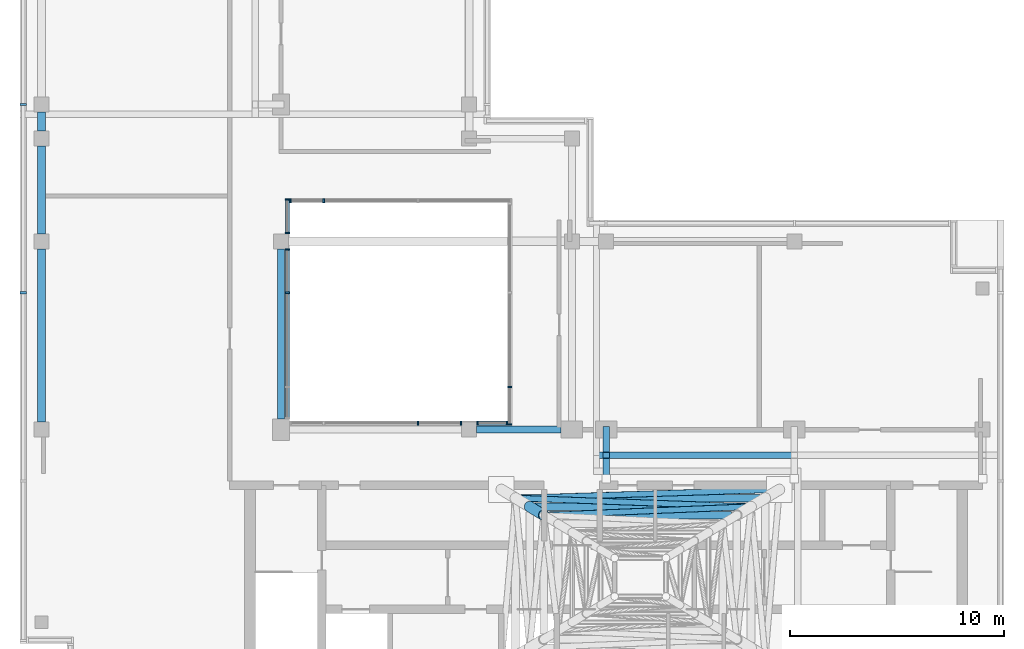
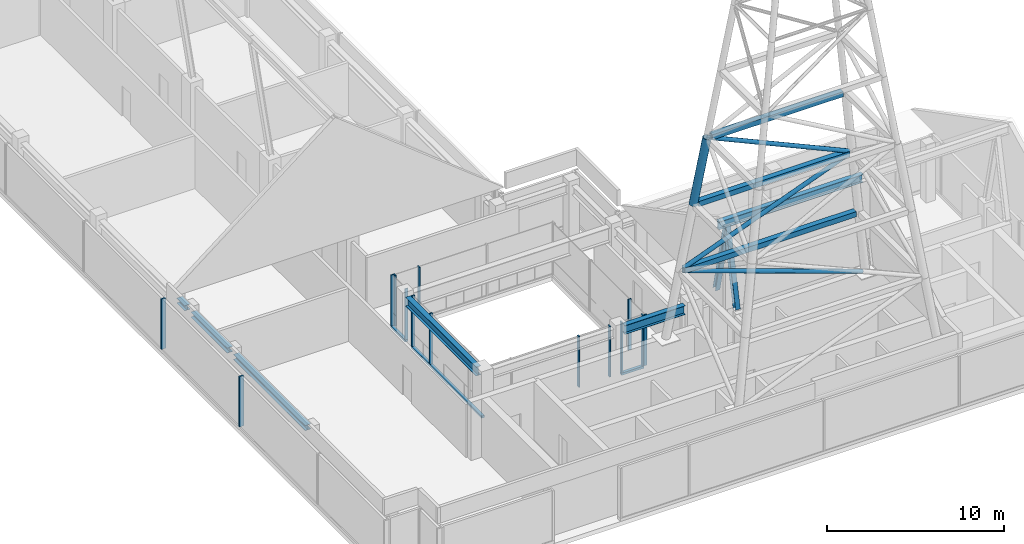
# One storey, part 4 of 13: 26 members, 6 beams, 7 elements without a shape of their own.
"""IFC4 building model written with IfcOpenShell, lengths in metres."""

from ifc_helpers import new_model, si_unit, direction, frame, origin, origin_2d, place, context, subcontext, project, spatial, rectangle, hollow_rectangle, hollow_circle, i_section, extrude, source, transform, mapped, material, material_profile, profile_set, type_object, element, aggregate, save


model = new_model("IFC4")

# Units and contexts
model_context = context("Model", 3, precision=1e-05, world=origin(), true_north=direction((0.0, 1.0)))
body_context = subcontext(model_context, "Body", "Model", "MODEL_VIEW")
ifc_project = project(units=[si_unit("LENGTHUNIT", "METRE"), si_unit("AREAUNIT", "SQUARE_METRE"), si_unit("VOLUMEUNIT", "CUBIC_METRE"), si_unit("PLANEANGLEUNIT", "RADIAN"), si_unit("MASSUNIT", "GRAM", prefix="KILO")], contexts=[model_context])

# Site, building, storey
site_placement = place(None, origin())
site = spatial("IfcSite", under=ifc_project, at=site_placement, CompositionType="ELEMENT")
building_placement = place(site_placement, origin())
building = spatial("IfcBuilding", under=site, at=building_placement, Name="Kemantara Hotel Tower", CompositionType="ELEMENT")
storey_placement = place(building_placement, frame((0.0, 0.0, 330.199951171875)))
storey = spatial("IfcBuildingStorey", under=building, at=storey_placement, Name="L83", CompositionType="ELEMENT", Elevation=330.199951171875)

# Curtain wall, member
ifc_material_1 = material(Name="Clear low-iron laminated glass 36 mm", Category="glass")
curtain_wall_type_1 = type_object("IfcCurtainWallType", Name="ATRIUM GLAZING WALL", PredefinedType="USERDEFINED", material=ifc_material_1)
curtain_wall_1_placement = place(storey_placement, origin())
curtain_wall_1 = element("IfcCurtainWall", 1, at=curtain_wall_1_placement, inside=storey, type_object=curtain_wall_type_1, Name="CW5 L83 ATR-R2-1", ObjectType="ATRIUM GLAZING WALL", PredefinedType="USERDEFINED")
ifc_material_2 = material(Name="Aluminium 6063-T6 bronze anodised", Category="aluminium")
ifc_material_profile_1 = material_profile(ifc_material_2, rectangle(XDim=0.199951171875, YDim=0.14990234375, at=origin_2d()), Name="ATRIUM GLAZING WALL TRANSOM")
ifc_profile_set_1 = profile_set([ifc_material_profile_1], Name="Aluminium 6063-T6 bronze anodised")
member_type_1 = type_object("IfcMemberType", Name="ATRIUM GLAZING WALL TRANSOM", PredefinedType="USERDEFINED", material=ifc_profile_set_1)
member_1_placement = place(storey_placement, frame((22.800048828125, 12.5, 0.074951171875), z_axis=(-1.0, 0.0, 0.0), x_axis=(0.0, -1.0, 0.0)))
member_1 = element("IfcMember", 2, at=member_1_placement, type_object=member_type_1, Name="CW5 sill transom ATR-R2-1", ObjectType="TRANSOM", PredefinedType="USERDEFINED", context=body_context, shape_type="SweptSolid", body=[
    extrude(rectangle(XDim=0.199951171875, YDim=0.14990234375, at=origin_2d()), origin(), (0.0, 0.0, 1.0), 1.449951171875),
])

curtain_wall_2_placement = place(storey_placement, origin())
curtain_wall_2 = element("IfcCurtainWall", 3, at=curtain_wall_2_placement, inside=storey, type_object=curtain_wall_type_1, Name="CW5 L83 ATR-R3-1", ObjectType="ATRIUM GLAZING WALL", PredefinedType="USERDEFINED")
member_2_placement = place(storey_placement, frame((12.5, 12.699951171875, 0.074951171875), z_axis=(0.0, 1.0, 0.0), x_axis=(-1.0, 0.0, 0.0)))
member_2 = element("IfcMember", 4, at=member_2_placement, type_object=member_type_1, Name="CW5 sill transom ATR-R3-1", ObjectType="TRANSOM", PredefinedType="USERDEFINED", context=body_context, shape_type="SweptSolid", body=[
    extrude(rectangle(XDim=0.199951171875, YDim=0.14990234375, at=origin_2d()), origin(), (0.0, 0.0, 1.0), 7.949951171875),
])

curtain_wall_3_placement = place(storey_placement, origin())
curtain_wall_3 = element("IfcCurtainWall", 5, at=curtain_wall_3_placement, inside=storey, type_object=curtain_wall_type_1, Name="CW5 L83 ATR-R3-2", ObjectType="ATRIUM GLAZING WALL", PredefinedType="USERDEFINED")
member_3_placement = place(storey_placement, frame((12.5, 21.35009765625, 0.074951171875), z_axis=(0.0, 1.0, 0.0), x_axis=(-1.0, 0.0, 0.0)))
member_3 = element("IfcMember", 6, at=member_3_placement, type_object=member_type_1, Name="CW5 sill transom ATR-R3-2", ObjectType="TRANSOM", PredefinedType="USERDEFINED", context=body_context, shape_type="SweptSolid", body=[
    extrude(rectangle(XDim=0.199951171875, YDim=0.14990234375, at=origin_2d()), origin(), (0.0, 0.0, 1.0), 1.64990234375),
])

# Beams
ifc_material_3 = material(Name="Steel ASTM A992 Grade 50", Category="steel")
ifc_material_profile_2 = material_profile(ifc_material_3, i_section(OverallWidth=0.324951171875, OverallDepth=0.612060546875, WebThickness=0.0126953125, FlangeThickness=0.01904296875, at=origin_2d()), Name="W610X155")
ifc_profile_set_2 = profile_set([ifc_material_profile_2], Name="Steel ASTM A992 Grade 50")
beam_type_1 = type_object("IfcBeamType", Name="ATRIUM ROOF GIRDER W610X155", PredefinedType="BEAM", material=ifc_profile_set_2)
beam_1_placement = place(storey_placement, frame((21.35009765625, 12.199951171875, 3.343994140625), z_axis=(1.0, 0.0, 0.0), x_axis=(0.0, 1.0, 0.0)))
element("IfcBeam", 7, at=beam_1_placement, inside=storey, type_object=beam_type_1, Name="ATRIUM ROOF GIRDER 1-2", PredefinedType="BEAM", context=body_context, shape_type="SweptSolid", body=[
    extrude(i_section(OverallWidth=0.324951171875, OverallDepth=0.612060546875, WebThickness=0.0126953125, FlangeThickness=0.01904296875, at=origin_2d()), origin(), (0.0, 0.0, 1.0), 3.949951171875),
])
beam_2_placement = place(storey_placement, frame((12.199951171875, 12.699951171875, 3.343994140625), z_axis=(0.0, 1.0, 0.0), x_axis=(-1.0, 0.0, 0.0)))
element("IfcBeam", 8, at=beam_2_placement, inside=storey, type_object=beam_type_1, Name="ATRIUM ROOF GIRDER 3-1", PredefinedType="BEAM", context=body_context, shape_type="SweptSolid", body=[
    extrude(i_section(OverallWidth=0.324951171875, OverallDepth=0.612060546875, WebThickness=0.0126953125, FlangeThickness=0.01904296875, at=origin_2d()), origin(), (0.0, 0.0, 1.0), 7.949951171875),
])

# Members
ifc_material_4 = material(Name="Steel ASTM A500 Grade C", Category="steel")
ifc_material_profile_3 = material_profile(ifc_material_4, hollow_circle(Radius=0.136474609375, WallThickness=0.0126953125, at=origin_2d()), Name="HSS273.1X12.7")
ifc_profile_set_3 = profile_set([ifc_material_profile_3], Name="Steel ASTM A500 Grade C")
member_type_2 = type_object("IfcMemberType", Name="MAST BRACE HSS273.1X12.7", PredefinedType="BRACE", material=ifc_profile_set_3)
member_4_placement = place(storey_placement, frame((35.26220703125, 9.392333984375, 4.138916015625), z_axis=(-0.936433595645, -0.030356129608, 0.349529149488), x_axis=(0.032399726483, -0.999474991045, 0.0)))
element("IfcMember", 9, at=member_4_placement, inside=storey, type_object=member_type_2, Name="MAST BRACE 3 PANEL 1", PredefinedType="BRACE", context=body_context, shape_type="SweptSolid", body=[
    extrude(hollow_circle(Radius=0.136474609375, WallThickness=0.0126953125, at=origin_2d()), origin(), (0.0, 0.0, 1.0), 12.6669921875),
])
member_5_placement = place(storey_placement, frame((23.396728515625, 8.991455078125, 8.7529296875), z_axis=(0.922065420584, -0.033498208875, 0.385581677683), x_axis=(0.036305585188, 0.999340734927, 0.0)))
element("IfcMember", 10, at=member_5_placement, inside=storey, type_object=member_type_2, Name="MAST BRACE 3 PANEL 2", PredefinedType="BRACE", context=body_context, shape_type="SweptSolid", body=[
    extrude(hollow_circle(Radius=0.136474609375, WallThickness=0.0126953125, at=origin_2d()), origin(), (0.0, 0.0, 1.0), 11.43505859375),
])
member_6_placement = place(storey_placement, frame((33.94580078125, 8.590576171875, 13.369140625), z_axis=(-0.902519933262, -0.037268758685, 0.429032411003), x_axis=(0.041258948951, -0.999148487029, 0.0)))
element("IfcMember", 11, at=member_6_placement, inside=storey, type_object=member_type_2, Name="MAST BRACE 3 PANEL 3", PredefinedType="BRACE", context=body_context, shape_type="SweptSolid", body=[
    extrude(hollow_circle(Radius=0.136474609375, WallThickness=0.0126953125, at=origin_2d()), origin(), (0.0, 0.0, 1.0), 10.225830078125),
])
ifc_material_profile_4 = material_profile(ifc_material_4, hollow_circle(Radius=0.25390625, WallThickness=0.0126953125, at=origin_2d()), Name="HSS508X12.7")
ifc_profile_set_4 = profile_set([ifc_material_profile_4], Name="Steel ASTM A500 Grade C")
member_type_3 = type_object("IfcMemberType", Name="MAST LEG HSS508X12.7", PredefinedType="POST", material=ifc_profile_set_4)
member_7_placement = place(storey_placement, frame((23.824951171875, 8.60009765625, 13.26025390625), z_axis=(0.141896560975, -0.085692138334, 0.986165413818), x_axis=(0.516951959847, 0.856014410632, 0.0)))
element("IfcMember", 12, at=member_7_placement, inside=storey, type_object=member_type_3, Name="MAST LEG 4 PANEL 3", PredefinedType="POST", context=body_context, shape_type="SweptSolid", body=[
    extrude(hollow_circle(Radius=0.25390625, WallThickness=0.0126953125, at=origin_2d()), origin(), (0.0, 0.0, 1.0), 4.669677734375),
])
ifc_material_profile_5 = material_profile(ifc_material_4, hollow_rectangle(XDim=0.355712890625, YDim=0.355712890625, WallThickness=0.0126953125, at=origin_2d()), Name="HSS355.6X355.6X12.7")
ifc_profile_set_5 = profile_set([ifc_material_profile_5], Name="Steel ASTM A500 Grade C")
member_type_4 = type_object("IfcMemberType", Name="MAST STRUT HSS355.6X355.6X12.7", PredefinedType="STRUT", material=ifc_profile_set_5)
member_8_placement = place(storey_placement, frame((34.58349609375, 9.0, 8.655029296875), z_axis=(-1.0, 0.0, 0.0), x_axis=(0.0, -1.0, 0.0)))
element("IfcMember", 13, at=member_8_placement, inside=storey, type_object=member_type_4, Name="MAST STRUT 3 LEVEL 1", PredefinedType="STRUT", context=body_context, shape_type="SweptSolid", body=[
    extrude(hollow_rectangle(XDim=0.355712890625, YDim=0.355712890625, WallThickness=0.0126953125, at=origin_2d()), origin(), (0.0, 0.0, 1.0), 11.1669921875),
])
member_9_placement = place(storey_placement, frame((33.9208984375, 8.60009765625, 13.26025390625), z_axis=(-1.0, 0.0, 0.0), x_axis=(0.0, -1.0, 0.0)))
element("IfcMember", 14, at=member_9_placement, inside=storey, type_object=member_type_4, Name="MAST STRUT 3 LEVEL 2", PredefinedType="STRUT", context=body_context, shape_type="SweptSolid", body=[
    extrude(hollow_rectangle(XDim=0.355712890625, YDim=0.355712890625, WallThickness=0.0126953125, at=origin_2d()), origin(), (0.0, 0.0, 1.0), 9.841796875),
])
member_10_placement = place(storey_placement, frame((33.258544921875, 8.199951171875, 17.865234375), z_axis=(-1.0, 0.0, 0.0), x_axis=(0.0, -1.0, 0.0)))
element("IfcMember", 15, at=member_10_placement, inside=storey, type_object=member_type_4, Name="MAST STRUT 3 LEVEL 3", PredefinedType="STRUT", context=body_context, shape_type="SweptSolid", body=[
    extrude(hollow_rectangle(XDim=0.355712890625, YDim=0.355712890625, WallThickness=0.0126953125, at=origin_2d()), origin(), (0.0, 0.0, 1.0), 8.51708984375),
])
ifc_material_profile_6 = material_profile(ifc_material_3, i_section(OverallWidth=0.304931640625, OverallDepth=0.306884765625, WebThickness=0.010009765625, FlangeThickness=0.015380859375, at=origin_2d()), Name="W310X97")
ifc_profile_set_6 = profile_set([ifc_material_profile_6], Name="Steel ASTM A992 Grade 50")
member_type_5 = type_object("IfcMemberType", Name="ROOF RIDGE A-FRAME W310X97", PredefinedType="BRACE", material=ifc_profile_set_6)
member_11_placement = place(storey_placement, frame((27.39990234375, 9.89990234375, 4.0), z_axis=(0.0, 0.20991084039, 0.977720532201), x_axis=(-1.0, 0.0, 0.0)))
element("IfcMember", 16, at=member_11_placement, inside=storey, type_object=member_type_5, Name="PEAK A RIDGE A-FRAME 1 LEG 1", PredefinedType="BRACE", context=body_context, shape_type="SweptSolid", body=[
    extrude(i_section(OverallWidth=0.304931640625, OverallDepth=0.306884765625, WebThickness=0.010009765625, FlangeThickness=0.015380859375, at=origin_2d()), origin(), (0.0, 0.0, 1.0), 5.24072265625),
])
member_12_placement = place(storey_placement, frame((27.39990234375, 12.199951171875, 4.0), z_axis=(0.0, -0.228012668335, 0.973658165415), x_axis=(1.0, 0.0, 0.0)))
element("IfcMember", 17, at=member_12_placement, inside=storey, type_object=member_type_5, Name="PEAK A RIDGE A-FRAME 1 LEG 2", PredefinedType="BRACE", context=body_context, shape_type="SweptSolid", body=[
    extrude(i_section(OverallWidth=0.304931640625, OverallDepth=0.306884765625, WebThickness=0.010009765625, FlangeThickness=0.015380859375, at=origin_2d()), origin(), (0.0, 0.0, 1.0), 5.2626953125),
])

# Beams
ifc_material_profile_7 = material_profile(ifc_material_3, i_section(OverallWidth=0.31201171875, OverallDepth=0.5439453125, WebThickness=0.0126953125, FlangeThickness=0.020263671875, at=origin_2d()), Name="W530X150")
ifc_profile_set_7 = profile_set([ifc_material_profile_7], Name="Steel ASTM A992 Grade 50")
beam_type_2 = type_object("IfcBeamType", Name="ROOF RIDGE BEAM W530X150", PredefinedType="BEAM", material=ifc_profile_set_7)
beam_3_placement = place(storey_placement, frame((26.800048828125, 11.0, 9.328125), z_axis=(1.0, 0.0, 0.0), x_axis=(0.0, 1.0, 0.0)))
element("IfcBeam", 18, at=beam_3_placement, inside=storey, type_object=beam_type_2, Name="PEAK A RIDGE BEAM 1", PredefinedType="BEAM", context=body_context, shape_type="SweptSolid", body=[
    extrude(i_section(OverallWidth=0.31201171875, OverallDepth=0.5439453125, WebThickness=0.0126953125, FlangeThickness=0.020263671875, at=origin_2d()), origin(), (0.0, 0.0, 1.0), 9.39990234375),
])
ifc_material_profile_8 = material_profile(ifc_material_3, i_section(OverallWidth=0.367919921875, OverallDepth=0.35595703125, WebThickness=0.01123046875, FlangeThickness=0.01806640625, at=origin_2d()), Name="W360X134")
ifc_profile_set_8 = profile_set([ifc_material_profile_8], Name="Steel ASTM A992 Grade 50")
beam_type_3 = type_object("IfcBeamType", Name="ROOF RING BEAM W360X134", PredefinedType="BEAM", material=ifc_profile_set_8)
beam_4_placement = place(storey_placement, frame((1.0, 12.550048828125, 3.47216796875), z_axis=(0.0, 1.0, 0.0), x_axis=(-1.0, 0.0, 0.0)))
element("IfcBeam", 19, at=beam_4_placement, inside=storey, type_object=beam_type_3, Name="ROOF RING BEAM 1", PredefinedType="BEAM", context=body_context, shape_type="SweptSolid", body=[
    extrude(i_section(OverallWidth=0.367919921875, OverallDepth=0.35595703125, WebThickness=0.01123046875, FlangeThickness=0.01806640625, at=origin_2d()), origin(), (0.0, 0.0, 1.0), 8.099853515625),
])
beam_5_placement = place(storey_placement, frame((1.0, 21.35009765625, 3.47216796875), z_axis=(0.0, 1.0, 0.0), x_axis=(-1.0, 0.0, 0.0)))
element("IfcBeam", 20, at=beam_5_placement, inside=storey, type_object=beam_type_3, Name="ROOF RING BEAM 2", PredefinedType="BEAM", context=body_context, shape_type="SweptSolid", body=[
    extrude(i_section(OverallWidth=0.367919921875, OverallDepth=0.35595703125, WebThickness=0.01123046875, FlangeThickness=0.01806640625, at=origin_2d()), origin(), (0.0, 0.0, 1.0), 4.099853515625),
])
beam_6_placement = place(storey_placement, frame((1.0, 26.14990234375, 3.47216796875), z_axis=(0.0, 1.0, 0.0), x_axis=(-1.0, 0.0, 0.0)))
element("IfcBeam", 21, at=beam_6_placement, inside=storey, type_object=beam_type_3, Name="ROOF RING BEAM 3", PredefinedType="BEAM", context=body_context, shape_type="SweptSolid", body=[
    extrude(i_section(OverallWidth=0.367919921875, OverallDepth=0.35595703125, WebThickness=0.01123046875, FlangeThickness=0.01806640625, at=origin_2d()), origin(), (0.0, 0.0, 1.0), 0.900146484375),
])

# Curtain wall, members
curtain_wall_type_2 = type_object("IfcCurtainWallType", Name="CROWN LOUVRE SCREEN WALL", PredefinedType="USERDEFINED", material=ifc_material_2)
curtain_wall_4_placement = place(storey_placement, origin())
curtain_wall_4 = element("IfcCurtainWall", 22, at=curtain_wall_4_placement, inside=storey, type_object=curtain_wall_type_2, Name="CW7 L83 CRN-R05-1", ObjectType="CROWN LOUVRE SCREEN WALL", PredefinedType="USERDEFINED")
ifc_material_profile_9 = material_profile(ifc_material_2, rectangle(XDim=0.300048828125, YDim=0.10009765625, at=origin_2d()), Name="CROWN LOUVRE SCREEN WALL MULLION")
ifc_profile_set_9 = profile_set([ifc_material_profile_9], Name="Aluminium 6063-T6 bronze anodised")
member_type_6 = type_object("IfcMemberType", Name="CROWN LOUVRE SCREEN WALL MULLION", PredefinedType="MULLION", material=ifc_profile_set_9)
shared_shape_1 = source(origin(), body_context, "Body", "SweptSolid", [
    extrude(rectangle(XDim=0.300048828125, YDim=0.10009765625, at=origin_2d()), origin(), (0.0, 0.0, 1.0), 3.4501953125),
])
member_13_placement = place(storey_placement, frame((0.14990234375, 27.39990234375, 0.199951171875), z_axis=(0.0, 0.0, 1.0), x_axis=(1.0, 0.0, 0.0)))
member_13 = element("IfcMember", 23, at=member_13_placement, type_object=member_type_6, Name="CW7 mullion CRN-R05-1.5", PredefinedType="MULLION", context=body_context, shape_type="MappedRepresentation", body=[
    mapped(shared_shape_1, transform((0.0, 0.0, 0.0))),
])
member_14_placement = place(storey_placement, frame((0.14990234375, 18.60009765625, 0.199951171875), z_axis=(0.0, 0.0, 1.0), x_axis=(1.0, 0.0, 0.0)))
member_14 = element("IfcMember", 24, at=member_14_placement, type_object=member_type_6, Name="CW7 mullion CRN-R05-1.6", PredefinedType="MULLION", context=body_context, shape_type="MappedRepresentation", body=[
    mapped(shared_shape_1, transform((0.0, 0.0, 0.0))),
])
aggregate(curtain_wall_4, [member_13, member_14])

curtain_wall_5_placement = place(storey_placement, origin())
curtain_wall_5 = element("IfcCurtainWall", 25, at=curtain_wall_5_placement, inside=storey, type_object=curtain_wall_type_1, Name="CW5 L83 ATR-R0-1", ObjectType="ATRIUM GLAZING WALL", PredefinedType="USERDEFINED")
ifc_material_profile_10 = material_profile(ifc_material_2, rectangle(XDim=0.199951171875, YDim=0.074951171875, at=origin_2d()), Name="ATRIUM GLAZING WALL MULLION")
ifc_profile_set_10 = profile_set([ifc_material_profile_10], Name="Aluminium 6063-T6 bronze anodised")
member_type_7 = type_object("IfcMemberType", Name="ATRIUM GLAZING WALL MULLION", PredefinedType="MULLION", material=ifc_profile_set_10)
shared_shape_2 = source(origin(), body_context, "Body", "SweptSolid", [
    extrude(rectangle(XDim=0.199951171875, YDim=0.074951171875, at=origin_2d()), origin(), (0.0, 0.0, 1.0), 3.5),
])
member_15_placement = place(storey_placement, frame((12.637451171875, 22.89990234375, 0.150146484375), z_axis=(0.0, 0.0, 1.0), x_axis=(0.0, 1.0, 0.0)))
member_15 = element("IfcMember", 26, at=member_15_placement, type_object=member_type_7, Name="CW5 mullion ATR-R0-1.1", PredefinedType="MULLION", context=body_context, shape_type="MappedRepresentation", body=[
    mapped(shared_shape_2, transform((0.0, 0.0, 0.0))),
])
member_16_placement = place(storey_placement, frame((14.199951171875, 22.89990234375, 0.150146484375), z_axis=(0.0, 0.0, 1.0), x_axis=(0.0, 1.0, 0.0)))
member_16 = element("IfcMember", 27, at=member_16_placement, type_object=member_type_7, Name="CW5 mullion ATR-R0-1.2", PredefinedType="MULLION", context=body_context, shape_type="MappedRepresentation", body=[
    mapped(shared_shape_2, transform((0.0, 0.0, 0.0))),
])
aggregate(curtain_wall_5, [member_15, member_16])

curtain_wall_6_placement = place(storey_placement, origin())
curtain_wall_6 = element("IfcCurtainWall", 28, at=curtain_wall_6_placement, inside=storey, type_object=curtain_wall_type_1, Name="CW5 L83 ATR-R1-1", ObjectType="ATRIUM GLAZING WALL", PredefinedType="USERDEFINED")
member_17_placement = place(storey_placement, frame((22.89990234375, 14.199951171875, 0.150146484375), z_axis=(0.0, 0.0, 1.0), x_axis=(1.0, 0.0, 0.0)))
member_17 = element("IfcMember", 29, at=member_17_placement, type_object=member_type_7, Name="CW5 mullion ATR-R1-1.3", PredefinedType="MULLION", context=body_context, shape_type="MappedRepresentation", body=[
    mapped(shared_shape_2, transform((0.0, 0.0, 0.0))),
])
member_18_placement = place(storey_placement, frame((22.89990234375, 12.4375, 0.150146484375), z_axis=(0.0, 0.0, 1.0), x_axis=(1.0, 0.0, 0.0)))
member_18 = element("IfcMember", 30, at=member_18_placement, type_object=member_type_7, Name="CW5 mullion ATR-R1-1.4", PredefinedType="MULLION", context=body_context, shape_type="MappedRepresentation", body=[
    mapped(shared_shape_2, transform((0.0, 0.0, 0.0))),
])
aggregate(curtain_wall_6, [member_17, member_18])

# Member
member_19_placement = place(storey_placement, frame((22.762451171875, 12.5, 0.150146484375), z_axis=(0.0, 0.0, 1.0), x_axis=(0.0, -1.0, 0.0)))
member_19 = element("IfcMember", 31, at=member_19_placement, type_object=member_type_7, Name="CW5 mullion ATR-R2-1.1", PredefinedType="MULLION", context=body_context, shape_type="MappedRepresentation", body=[
    mapped(shared_shape_2, transform((0.0, 0.0, 0.0))),
])

member_20_placement = place(storey_placement, frame((21.387451171875, 12.5, 0.150146484375), z_axis=(0.0, 0.0, 1.0), x_axis=(0.0, -1.0, 0.0)))
member_20 = element("IfcMember", 32, at=member_20_placement, type_object=member_type_7, Name="CW5 mullion ATR-R2-1.2", PredefinedType="MULLION", context=body_context, shape_type="MappedRepresentation", body=[
    mapped(shared_shape_2, transform((0.0, 0.0, 0.0))),
])

aggregate(curtain_wall_1, [member_1, member_19, member_20])

# Curtain wall, members
curtain_wall_7_placement = place(storey_placement, origin())
curtain_wall_7 = element("IfcCurtainWall", 33, at=curtain_wall_7_placement, inside=storey, type_object=curtain_wall_type_1, Name="CW5 L83 ATR-R2-2", ObjectType="ATRIUM GLAZING WALL", PredefinedType="USERDEFINED")
member_21_placement = place(storey_placement, frame((20.612548828125, 12.5, 0.150146484375), z_axis=(0.0, 0.0, 1.0), x_axis=(0.0, -1.0, 0.0)))
member_21 = element("IfcMember", 34, at=member_21_placement, type_object=member_type_7, Name="CW5 mullion ATR-R2-2.1", PredefinedType="MULLION", context=body_context, shape_type="MappedRepresentation", body=[
    mapped(shared_shape_2, transform((0.0, 0.0, 0.0))),
])
member_22_placement = place(storey_placement, frame((18.60009765625, 12.5, 0.150146484375), z_axis=(0.0, 0.0, 1.0), x_axis=(0.0, -1.0, 0.0)))
member_22 = element("IfcMember", 35, at=member_22_placement, type_object=member_type_7, Name="CW5 mullion ATR-R2-2.2", PredefinedType="MULLION", context=body_context, shape_type="MappedRepresentation", body=[
    mapped(shared_shape_2, transform((0.0, 0.0, 0.0))),
])
aggregate(curtain_wall_7, [member_21, member_22])

# Member
member_23_placement = place(storey_placement, frame((12.5, 18.60009765625, 0.150146484375), z_axis=(0.0, 0.0, 1.0), x_axis=(-1.0, 0.0, 0.0)))
member_23 = element("IfcMember", 36, at=member_23_placement, type_object=member_type_7, Name="CW5 mullion ATR-R3-1.3", PredefinedType="MULLION", context=body_context, shape_type="MappedRepresentation", body=[
    mapped(shared_shape_2, transform((0.0, 0.0, 0.0))),
])

member_24_placement = place(storey_placement, frame((12.5, 20.612548828125, 0.150146484375), z_axis=(0.0, 0.0, 1.0), x_axis=(-1.0, 0.0, 0.0)))
member_24 = element("IfcMember", 37, at=member_24_placement, type_object=member_type_7, Name="CW5 mullion ATR-R3-1.4", PredefinedType="MULLION", context=body_context, shape_type="MappedRepresentation", body=[
    mapped(shared_shape_2, transform((0.0, 0.0, 0.0))),
])

aggregate(curtain_wall_2, [member_2, member_23, member_24])

member_25_placement = place(storey_placement, frame((12.5, 21.387451171875, 0.150146484375), z_axis=(0.0, 0.0, 1.0), x_axis=(-1.0, 0.0, 0.0)))
member_25 = element("IfcMember", 38, at=member_25_placement, type_object=member_type_7, Name="CW5 mullion ATR-R3-2.1", PredefinedType="MULLION", context=body_context, shape_type="MappedRepresentation", body=[
    mapped(shared_shape_2, transform((0.0, 0.0, 0.0))),
])

member_26_placement = place(storey_placement, frame((12.5, 22.96240234375, 0.150146484375), z_axis=(0.0, 0.0, 1.0), x_axis=(-1.0, 0.0, 0.0)))
member_26 = element("IfcMember", 39, at=member_26_placement, type_object=member_type_7, Name="CW5 mullion ATR-R3-2.2", PredefinedType="MULLION", context=body_context, shape_type="MappedRepresentation", body=[
    mapped(shared_shape_2, transform((0.0, 0.0, 0.0))),
])

aggregate(curtain_wall_3, [member_3, member_25, member_26])

save(model, "model.ifc")
